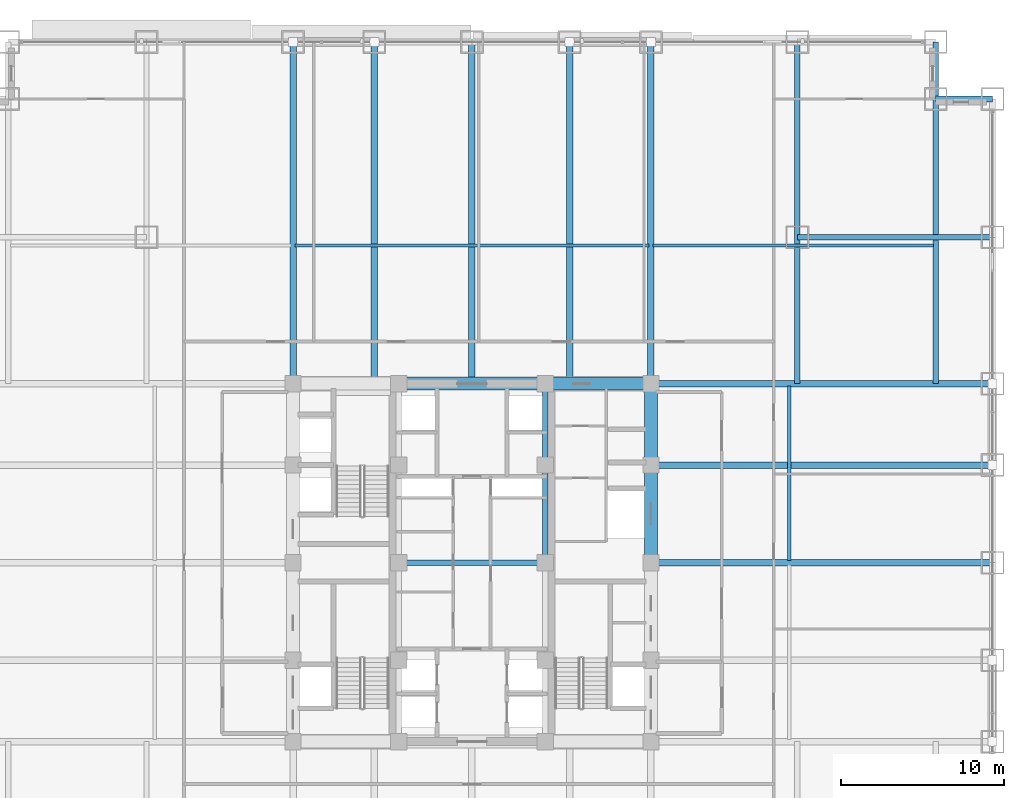
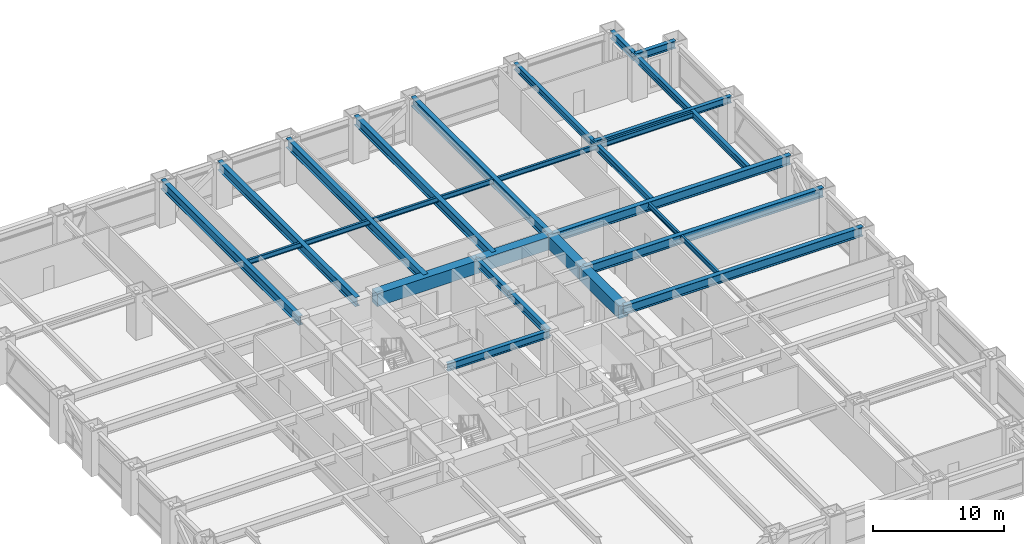
# One storey, part 15 of 31: 23 beams.
"""IFC4 building model written with IfcOpenShell, lengths in metres."""

from ifc_helpers import new_model, si_unit, direction, frame, origin, origin_2d, place, context, subcontext, project, spatial, rectangle, i_section, extrude, source, transform, mapped, material, material_profile, profile_set, type_object, element, save


model = new_model("IFC4")

# Units and contexts
model_context = context("Model", 3, precision=1e-05, world=origin(), true_north=direction((0.0, 1.0)))
body_context = subcontext(model_context, "Body", "Model", "MODEL_VIEW")
ifc_project = project(units=[si_unit("LENGTHUNIT", "METRE"), si_unit("AREAUNIT", "SQUARE_METRE"), si_unit("VOLUMEUNIT", "CUBIC_METRE"), si_unit("PLANEANGLEUNIT", "RADIAN"), si_unit("MASSUNIT", "GRAM", prefix="KILO")], contexts=[model_context])

# Site, building, storey
site_placement = place(None, origin())
site = spatial("IfcSite", under=ifc_project, at=site_placement, CompositionType="ELEMENT")
building_placement = place(site_placement, origin())
building = spatial("IfcBuilding", under=site, at=building_placement, Name="Khorayat Bourse Tower", CompositionType="ELEMENT")
storey_placement = place(building_placement, frame((0.0, 0.0, 32.60009765625)))
storey = spatial("IfcBuildingStorey", under=building, at=storey_placement, Name="L06", CompositionType="ELEMENT", Elevation=32.60009765625)

# Beams
ifc_material_1 = material(Name="Concrete C72/90", Category="concrete")
ifc_material_profile_1 = material_profile(ifc_material_1, rectangle(XDim=0.800048828125, YDim=1.199951171875, at=origin_2d()), Name="RC 800x1200")
ifc_profile_set_1 = profile_set([ifc_material_profile_1], Name="Concrete C72/90")
beam_type_1 = type_object("IfcBeamType", Name="BM-COUP-1200", PredefinedType="BEAM", material=ifc_profile_set_1)
shared_shape_1 = source(origin(), body_context, "Body", "SweptSolid", [
    extrude(rectangle(XDim=0.800048828125, YDim=1.199951171875, at=origin_2d()), origin(), (0.0, 0.0, 1.0), 5.0),
])
beam_1_placement = place(storey_placement, frame((11.0, 6.0, 3.33984375), z_axis=(0.0, 1.0, 0.0), x_axis=(-1.0, 0.0, 0.0)))
element("IfcBeam", 1, at=beam_1_placement, inside=storey, type_object=beam_type_1, Name="L06 BM-COUP-1200 BM-L06-CRX-16", PredefinedType="BEAM", context=body_context, shape_type="MappedRepresentation", body=[
    mapped(shared_shape_1, transform((0.0, 0.0, 0.0), scale=1.0)),
])
shared_shape_2 = source(origin(), body_context, "Body", "SweptSolid", [
    extrude(rectangle(XDim=0.800048828125, YDim=1.199951171875, at=origin_2d()), origin(), (0.0, 0.0, 1.0), 6.0),
])
beam_2_placement = place(storey_placement, frame((11.0, 0.0, 3.33984375), z_axis=(0.0, 1.0, 0.0), x_axis=(-1.0, 0.0, 0.0)))
element("IfcBeam", 2, at=beam_2_placement, inside=storey, type_object=beam_type_1, Name="L06 BM-COUP-1200 BM-L06-CRX-15", PredefinedType="BEAM", context=body_context, shape_type="MappedRepresentation", body=[
    mapped(shared_shape_2, transform((0.0, 0.0, 0.0), scale=1.0)),
])
ifc_material_2 = material(Name="Steel ASTM A992 Grade 50", Category="steel")
ifc_material_profile_2 = material_profile(ifc_material_2, i_section(OverallWidth=0.35498046875, OverallDepth=0.695068359375, WebThickness=0.015380859375, FlangeThickness=0.02490234375, FilletRadius=0.01806640625, at=origin_2d()), Name="W690X217")
ifc_profile_set_2 = profile_set([ifc_material_profile_2], Name="Steel ASTM A992 Grade 50")
beam_type_2 = type_object("IfcBeamType", Name="BM-GIRD-690", PredefinedType="BEAM", material=ifc_profile_set_2)
shared_shape_3 = source(origin(), body_context, "Body", "SweptSolid", [
    extrude(i_section(OverallWidth=0.35498046875, OverallDepth=0.695068359375, WebThickness=0.015380859375, FlangeThickness=0.02490234375, FilletRadius=0.01806640625, at=origin_2d()), origin(), (0.0, 0.0, 1.0), 5.0),
])
beam_3_placement = place(storey_placement, frame((4.5, 6.0, 3.59228515625), z_axis=(0.0, 1.0, 0.0), x_axis=(-1.0, 0.0, 0.0)))
element("IfcBeam", 3, at=beam_3_placement, inside=storey, type_object=beam_type_2, Name="L06 BM-GIRD-690 BM-L06-CRX-12", PredefinedType="BEAM", context=body_context, shape_type="MappedRepresentation", body=[
    mapped(shared_shape_3, transform((0.0, 0.0, 0.0), scale=1.0)),
])
shared_shape_4 = source(origin(), body_context, "Body", "SweptSolid", [
    extrude(i_section(OverallWidth=0.35498046875, OverallDepth=0.695068359375, WebThickness=0.015380859375, FlangeThickness=0.02490234375, FilletRadius=0.01806640625, at=origin_2d()), origin(), (0.0, 0.0, 1.0), 6.0),
])
beam_4_placement = place(storey_placement, frame((4.5, 0.0, 3.59228515625), z_axis=(0.0, 1.0, 0.0), x_axis=(-1.0, 0.0, 0.0)))
element("IfcBeam", 4, at=beam_4_placement, inside=storey, type_object=beam_type_2, Name="L06 BM-GIRD-690 BM-L06-CRX-11", PredefinedType="BEAM", context=body_context, shape_type="MappedRepresentation", body=[
    mapped(shared_shape_4, transform((0.0, 0.0, 0.0), scale=1.0)),
])
shared_shape_5 = source(origin(), body_context, "Body", "SweptSolid", [
    extrude(rectangle(XDim=0.800048828125, YDim=1.199951171875, at=origin_2d()), origin(), (0.0, 0.0, 1.0), 6.5),
])
beam_5_placement = place(storey_placement, frame((4.5, 11.0, 3.33984375), z_axis=(1.0, 0.0, 0.0), x_axis=(0.0, 1.0, 0.0)))
element("IfcBeam", 5, at=beam_5_placement, inside=storey, type_object=beam_type_1, Name="L06 BM-COUP-1200 BM-L06-CRY-22", PredefinedType="BEAM", context=body_context, shape_type="MappedRepresentation", body=[
    mapped(shared_shape_5, transform((0.0, 0.0, 0.0), scale=1.0)),
])
shared_shape_6 = source(origin(), body_context, "Body", "SweptSolid", [
    extrude(rectangle(XDim=0.800048828125, YDim=1.199951171875, at=origin_2d()), origin(), (0.0, 0.0, 1.0), 9.0),
])
beam_6_placement = place(storey_placement, frame((-4.5, 11.0, 3.33984375), z_axis=(1.0, 0.0, 0.0), x_axis=(0.0, 1.0, 0.0)))
element("IfcBeam", 6, at=beam_6_placement, inside=storey, type_object=beam_type_1, Name="L06 BM-COUP-1200 BM-L06-CRY-21", PredefinedType="BEAM", context=body_context, shape_type="MappedRepresentation", body=[
    mapped(shared_shape_6, transform((0.0, 0.0, 0.0), scale=1.0)),
])
shared_shape_7 = source(origin(), body_context, "Body", "SweptSolid", [
    extrude(i_section(OverallWidth=0.35498046875, OverallDepth=0.695068359375, WebThickness=0.015380859375, FlangeThickness=0.02490234375, FilletRadius=0.01806640625, at=origin_2d()), origin(), (0.0, 0.0, 1.0), 9.0),
])
beam_7_placement = place(storey_placement, frame((-4.5, 0.0, 3.59228515625), z_axis=(1.0, 0.0, 0.0), x_axis=(0.0, 1.0, 0.0)))
element("IfcBeam", 7, at=beam_7_placement, inside=storey, type_object=beam_type_2, Name="L06 BM-GIRD-690 BM-L06-CRY-23", PredefinedType="BEAM", context=body_context, shape_type="MappedRepresentation", body=[
    mapped(shared_shape_7, transform((0.0, 0.0, 0.0), scale=1.0)),
])
ifc_material_profile_3 = material_profile(ifc_material_2, i_section(OverallWidth=0.35498046875, OverallDepth=0.695068359375, WebThickness=0.015380859375, FlangeThickness=0.02490234375, FilletRadius=0.01806640625, at=origin_2d()), Name="W690X217")
ifc_profile_set_3 = profile_set([ifc_material_profile_3], Name="Steel ASTM A992 Grade 50")
beam_type_3 = type_object("IfcBeamType", Name="BM-SPAN-690", PredefinedType="SPANDREL", material=ifc_profile_set_3)
shared_shape_8 = source(origin(), body_context, "Body", "SweptSolid", [
    extrude(i_section(OverallWidth=0.35498046875, OverallDepth=0.695068359375, WebThickness=0.015380859375, FlangeThickness=0.02490234375, FilletRadius=0.01806640625, at=origin_2d()), origin(), (0.0, 0.0, 1.0), 3.5),
])
for number, where, z_axis, x_axis, name in (
    (8, (28.5, 28.5, 3.59228515625), (1.0, 0.0, 0.0), (0.0, 1.0, 0.0), "L06 BM-SPAN-690 BM-L06-SPN-042"),
    (9, (28.5, 28.5, 3.59228515625), (0.0, 1.0, 0.0), (-1.0, 0.0, 0.0), "L06 BM-SPAN-690 BM-L06-SPN-043"),
):
    element("IfcBeam", number, at=place(storey_placement, frame(where, z_axis=z_axis, x_axis=x_axis)), inside=storey, type_object=beam_type_3, Name=name, PredefinedType="SPANDREL", context=body_context, shape_type="MappedRepresentation", body=[
        mapped(shared_shape_8, transform((0.0, 0.0, 0.0), scale=1.0)),
    ])
ifc_material_profile_4 = material_profile(ifc_material_2, i_section(OverallWidth=0.39990234375, OverallDepth=0.85498046875, WebThickness=0.018310546875, FlangeThickness=0.029296875, FilletRadius=0.02001953125, at=origin_2d()), Name="W840X299")
ifc_profile_set_4 = profile_set([ifc_material_profile_4], Name="Steel ASTM A992 Grade 50")
beam_type_4 = type_object("IfcBeamType", Name="BM-GIRD-840", PredefinedType="BEAM", material=ifc_profile_set_4)
shared_shape_9 = source(origin(), body_context, "Body", "SweptSolid", [
    extrude(i_section(OverallWidth=0.39990234375, OverallDepth=0.85498046875, WebThickness=0.018310546875, FlangeThickness=0.029296875, FilletRadius=0.02001953125, at=origin_2d()), origin(), (0.0, 0.0, 1.0), 21.0),
])
for number, where, z_axis, x_axis, name in (
    (10, (-11.0, 11.0, 3.512451171875), (0.0, 1.0, 0.0), (-1.0, 0.0, 0.0), "L06 BM-GIRD-840 BM-L06-RADY-064"),
    (11, (-6.0, 11.0, 3.512451171875), (0.0, 1.0, 0.0), (-1.0, 0.0, 0.0), "L06 BM-GIRD-840 BM-L06-RADY-066"),
    (12, (0.0, 11.0, 3.512451171875), (0.0, 1.0, 0.0), (-1.0, 0.0, 0.0), "L06 BM-GIRD-840 BM-L06-RADY-068"),
    (13, (6.0, 11.0, 3.512451171875), (0.0, 1.0, 0.0), (-1.0, 0.0, 0.0), "L06 BM-GIRD-840 BM-L06-RADY-070"),
    (14, (11.0, 11.0, 3.512451171875), (0.0, 1.0, 0.0), (-1.0, 0.0, 0.0), "L06 BM-GIRD-840 BM-L06-RADY-072"),
    (15, (11.0, 0.0, 3.512451171875), (1.0, 0.0, 0.0), (0.0, 1.0, 0.0), "L06 BM-GIRD-840 BM-L06-RADX-078"),
    (16, (11.0, 6.0, 3.512451171875), (1.0, 0.0, 0.0), (0.0, 1.0, 0.0), "L06 BM-GIRD-840 BM-L06-RADX-080"),
    (17, (11.0, 11.0, 3.512451171875), (1.0, 0.0, 0.0), (0.0, 1.0, 0.0), "L06 BM-GIRD-840 BM-L06-RADX-082"),
):
    element("IfcBeam", number, at=place(storey_placement, frame(where, z_axis=z_axis, x_axis=x_axis)), inside=storey, type_object=beam_type_4, Name=name, PredefinedType="BEAM", context=body_context, shape_type="MappedRepresentation", body=[
        mapped(shared_shape_9, transform((0.0, 0.0, 0.0), scale=1.0)),
    ])
ifc_material_profile_5 = material_profile(ifc_material_2, i_section(OverallWidth=0.324951171875, OverallDepth=0.615966796875, WebThickness=0.013916015625, FlangeThickness=0.021484375, FilletRadius=0.01611328125, at=origin_2d()), Name="W610X174")
ifc_profile_set_5 = profile_set([ifc_material_profile_5], Name="Steel ASTM A992 Grade 50")
beam_type_5 = type_object("IfcBeamType", Name="BM-GIRD-610", PredefinedType="BEAM", material=ifc_profile_set_5)
shared_shape_10 = source(origin(), body_context, "Body", "SweptSolid", [
    extrude(i_section(OverallWidth=0.324951171875, OverallDepth=0.615966796875, WebThickness=0.013916015625, FlangeThickness=0.021484375, FilletRadius=0.01611328125, at=origin_2d()), origin(), (0.0, 0.0, 1.0), 21.0),
])
beam_8_placement = place(storey_placement, frame((20.0, 11.0, 3.6318359375), z_axis=(0.0, 1.0, 0.0), x_axis=(-1.0, 0.0, 0.0)))
element("IfcBeam", 18, at=beam_8_placement, inside=storey, type_object=beam_type_5, Name="L06 BM-GIRD-610 BM-L06-CNRY-087", PredefinedType="BEAM", context=body_context, shape_type="MappedRepresentation", body=[
    mapped(shared_shape_10, transform((0.0, 0.0, 0.0), scale=1.0)),
])
shared_shape_11 = source(origin(), body_context, "Body", "SweptSolid", [
    extrude(i_section(OverallWidth=0.324951171875, OverallDepth=0.615966796875, WebThickness=0.013916015625, FlangeThickness=0.021484375, FilletRadius=0.01611328125, at=origin_2d()), origin(), (0.0, 0.0, 1.0), 17.5),
])
beam_9_placement = place(storey_placement, frame((28.5, 11.0, 3.6318359375), z_axis=(0.0, 1.0, 0.0), x_axis=(-1.0, 0.0, 0.0)))
element("IfcBeam", 19, at=beam_9_placement, inside=storey, type_object=beam_type_5, Name="L06 BM-GIRD-610 BM-L06-CNRY-091", PredefinedType="BEAM", context=body_context, shape_type="MappedRepresentation", body=[
    mapped(shared_shape_11, transform((0.0, 0.0, 0.0), scale=1.0)),
])
shared_shape_12 = source(origin(), body_context, "Body", "SweptSolid", [
    extrude(i_section(OverallWidth=0.324951171875, OverallDepth=0.615966796875, WebThickness=0.013916015625, FlangeThickness=0.021484375, FilletRadius=0.01611328125, at=origin_2d()), origin(), (0.0, 0.0, 1.0), 12.0),
])
beam_10_placement = place(storey_placement, frame((20.0, 20.0, 3.6318359375), z_axis=(1.0, 0.0, 0.0), x_axis=(0.0, 1.0, 0.0)))
element("IfcBeam", 20, at=beam_10_placement, inside=storey, type_object=beam_type_5, Name="L06 BM-GIRD-610 BM-L06-CNRX-094", PredefinedType="BEAM", context=body_context, shape_type="MappedRepresentation", body=[
    mapped(shared_shape_12, transform((0.0, 0.0, 0.0), scale=1.0)),
])
ifc_material_profile_6 = material_profile(ifc_material_2, i_section(OverallWidth=0.194091796875, OverallDepth=0.468994140625, WebThickness=0.0126953125, FlangeThickness=0.0205078125, FilletRadius=0.012939453125, at=origin_2d()), Name="W460X106")
ifc_profile_set_6 = profile_set([ifc_material_profile_6], Name="Steel ASTM A992 Grade 50")
beam_type_6 = type_object("IfcBeamType", Name="BM-JOIST-460", PredefinedType="JOIST", material=ifc_profile_set_6)
shared_shape_13 = source(origin(), body_context, "Body", "SweptSolid", [
    extrude(i_section(OverallWidth=0.194091796875, OverallDepth=0.468994140625, WebThickness=0.0126953125, FlangeThickness=0.0205078125, FilletRadius=0.012939453125, at=origin_2d()), origin(), (0.0, 0.0, 1.0), 17.240234375),
])
beam_11_placement = place(storey_placement, frame((11.1298828125, 19.5, 3.705322265625), z_axis=(1.0, 0.0, 0.0), x_axis=(0.0, 1.0, 0.0)))
element("IfcBeam", 21, at=beam_11_placement, inside=storey, type_object=beam_type_6, Name="L06 BM-JOIST-460 BM-L06-JSTX-101", PredefinedType="JOIST", context=body_context, shape_type="MappedRepresentation", body=[
    mapped(shared_shape_13, transform((0.0, 0.0, 0.0), scale=1.0)),
])
shared_shape_14 = source(origin(), body_context, "Body", "SweptSolid", [
    extrude(i_section(OverallWidth=0.194091796875, OverallDepth=0.468994140625, WebThickness=0.0126953125, FlangeThickness=0.0205078125, FilletRadius=0.012939453125, at=origin_2d()), origin(), (0.0, 0.0, 1.0), 21.740234375),
])
beam_12_placement = place(storey_placement, frame((-10.8701171875, 19.5, 3.705322265625), z_axis=(1.0, 0.0, 0.0), x_axis=(0.0, 1.0, 0.0)))
element("IfcBeam", 22, at=beam_12_placement, inside=storey, type_object=beam_type_6, Name="L06 BM-JOIST-460 BM-L06-JSTX-100", PredefinedType="JOIST", context=body_context, shape_type="MappedRepresentation", body=[
    mapped(shared_shape_14, transform((0.0, 0.0, 0.0), scale=1.0)),
])
shared_shape_15 = source(origin(), body_context, "Body", "SweptSolid", [
    extrude(i_section(OverallWidth=0.194091796875, OverallDepth=0.468994140625, WebThickness=0.0126953125, FlangeThickness=0.0205078125, FilletRadius=0.012939453125, at=origin_2d()), origin(), (0.0, 0.0, 1.0), 10.740234375),
])
beam_13_placement = place(storey_placement, frame((19.5, 0.1298828125, 3.705322265625), z_axis=(0.0, 1.0, 0.0), x_axis=(-1.0, 0.0, 0.0)))
element("IfcBeam", 23, at=beam_13_placement, inside=storey, type_object=beam_type_6, Name="L06 BM-JOIST-460 BM-L06-JSTY-105", PredefinedType="JOIST", context=body_context, shape_type="MappedRepresentation", body=[
    mapped(shared_shape_15, transform((0.0, 0.0, 0.0), scale=1.0)),
])

save(model, "model.ifc")
